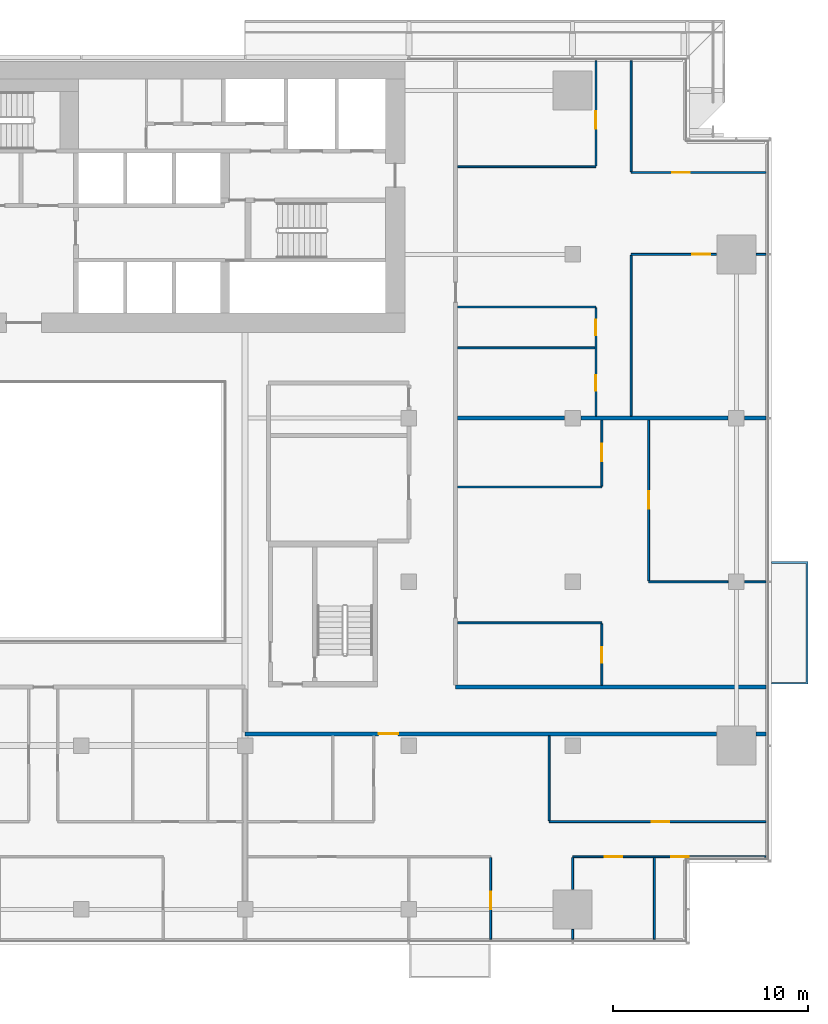
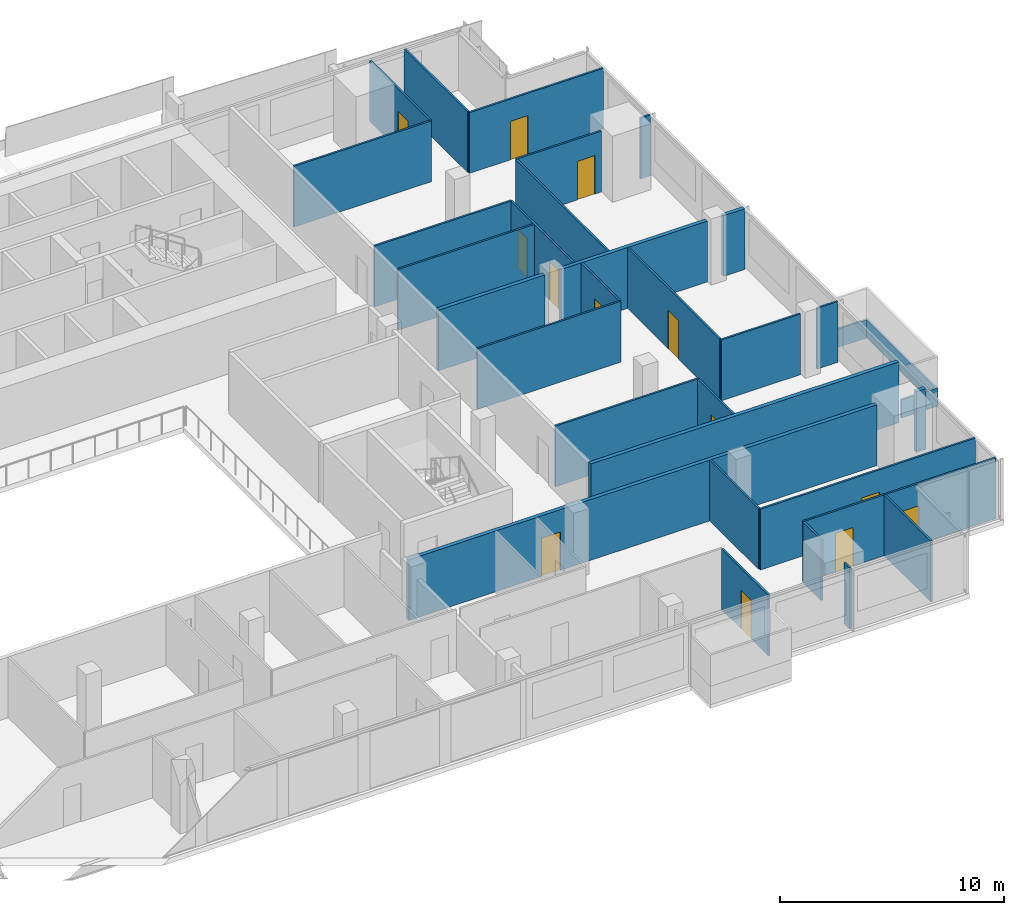
# One storey, part 23 of 29: 31 walls, 13 doors, 13 openings.
"""IFC4 building model written with IfcOpenShell, lengths in metres."""

import ifcopenshell
import ifcopenshell.guid

model = None  # the IFC model being written
_history = None  # IfcOwnerHistory: only IFC2X3 demands one
_inside = {}  # id of a spatial element -> (the spatial element, [elements in it])
_under = {}  # id of a project, library or spatial element -> (it, [spatial elements below it])
_declared = {}  # id of a project -> (the project, [libraries it declares])
_typed = {}  # id of a type object -> (the type object, [elements of that type])
_made_of = {}  # id of a material, layer set ... -> (it, [elements and type objects made of it])


def new_model(schema):
    """Start an empty IFC model of exactly this schema.

    Asked for "IFC4X3", IfcOpenShell would pick the latest addendum, in which some entities
    have other attributes; the version numbers below select the first issue.
    IFC2X3 requires an IfcOwnerHistory on every rooted entity: one is made here for all.
    """
    global model, _history
    if schema == "IFC4X3":
        model = ifcopenshell.file(schema_version=(4, 3, 0, 0))
    else:
        model = ifcopenshell.file(schema=schema)
    _inside.clear()
    _under.clear()
    _declared.clear()
    _typed.clear()
    _made_of.clear()
    _history = None
    if model.schema == "IFC2X3":
        org = make("IfcOrganization", Name="unknown")
        user = make(
            "IfcPersonAndOrganization",
            ThePerson=make("IfcPerson", FamilyName="unknown"),
            TheOrganization=org,
        )
        app = make(
            "IfcApplication",
            ApplicationDeveloper=org,
            Version="unknown",
            ApplicationFullName="unknown",
            ApplicationIdentifier="unknown",
        )
        _history = make(
            "IfcOwnerHistory",
            OwningUser=user,
            OwningApplication=app,
            ChangeAction="ADDED",
            CreationDate=0,
        )
    return model


def make(cls, **values):
    """One entity of the class cls with the attributes given. An attribute that is None is left unset."""
    return model.create_entity(
        cls, **{name: value for name, value in values.items() if value is not None}
    )


def rooted(cls, **values):
    """An entity with a GlobalId (a new one), such as an element, a storey or a relation."""
    return make(cls, GlobalId=ifcopenshell.guid.new(), OwnerHistory=_history, **values)


def si_unit(unit_type, name, prefix=None):
    """IfcSIUnit, for example si_unit("LENGTHUNIT", "METRE", prefix="MILLI")."""
    return make("IfcSIUnit", UnitType=unit_type, Prefix=prefix, Name=name)


def assignment(units):
    """IfcUnitAssignment: the units of a project."""
    return None if units is None else make("IfcUnitAssignment", Units=units)


def point(xyz):
    """IfcCartesianPoint."""
    return None if xyz is None else make("IfcCartesianPoint", Coordinates=xyz)


def direction(xyz):
    """IfcDirection."""
    return None if xyz is None else make("IfcDirection", DirectionRatios=xyz)


def frame(location, z_axis=None, x_axis=None):
    """IfcAxis2Placement3D, a coordinate frame: its origin and axes. An axis left out is left unset."""
    return make(
        "IfcAxis2Placement3D",
        Location=point(location),
        Axis=direction(z_axis),
        RefDirection=direction(x_axis),
    )


def frame_2d(location, x_axis=None):
    """IfcAxis2Placement2D, a coordinate frame in the plane: its origin and x axis."""
    return make(
        "IfcAxis2Placement2D", Location=point(location), RefDirection=direction(x_axis)
    )


def origin():
    """The frame at (0, 0, 0) with its axes left unset."""
    return frame((0.0, 0.0, 0.0))


def place(relative_to, where):
    """IfcLocalPlacement: puts the frame where relative to a parent placement (None: the world)."""
    return make(
        "IfcLocalPlacement", PlacementRelTo=relative_to, RelativePlacement=where
    )


def context(
    kind, dimensions, precision=None, world=None, true_north=None, identifier=None
):
    """IfcGeometricRepresentationContext, for example the 3D "Model" context."""
    return make(
        "IfcGeometricRepresentationContext",
        ContextIdentifier=identifier,
        ContextType=kind,
        CoordinateSpaceDimension=dimensions,
        Precision=precision,
        WorldCoordinateSystem=world,
        TrueNorth=true_north,
    )


def subcontext(parent, identifier, kind, view, scale=None):
    """IfcGeometricRepresentationSubContext, for example "Body" below "Model"."""
    return make(
        "IfcGeometricRepresentationSubContext",
        ContextIdentifier=identifier,
        ContextType=kind,
        ParentContext=parent,
        TargetScale=scale,
        TargetView=view,
    )


def project(units=None, contexts=None):
    """IfcProject with its units and contexts."""
    return rooted(
        "IfcProject",
        Name="project",
        RepresentationContexts=contexts,
        UnitsInContext=assignment(units),
    )


def spatial(cls, under=None, at=None, **own):
    """A site, building, storey or space (cls), placed at a placement, below another one or the project."""
    s = rooted(cls, ObjectPlacement=at, **own)
    if under is not None:
        _under.setdefault(under.id(), (under, []))[1].append(s)
    return s


def polyline(points):
    """IfcPolyline through the points."""
    return make("IfcPolyline", Points=[point(p) for p in points])


def profile(cls, at=None, kind="AREA", **sizes):
    """A parametric profile (cls). Its sizes go by their IFC names, for example OverallWidth=200.0."""
    return make(cls, ProfileType=kind, Position=at, **sizes)


def rectangle(**sizes):
    """IfcRectangleProfileDef."""
    return profile("IfcRectangleProfileDef", **sizes)


def outline(outer, holes=None, kind="AREA"):
    """IfcArbitraryClosedProfileDef: a profile drawn as a closed curve; with holes, ...WithVoids."""
    if holes is None:
        return make("IfcArbitraryClosedProfileDef", ProfileType=kind, OuterCurve=outer)
    return make(
        "IfcArbitraryProfileDefWithVoids",
        ProfileType=kind,
        OuterCurve=outer,
        InnerCurves=holes,
    )


def extrude(swept, where, along, depth):
    """IfcExtrudedAreaSolid: the profile swept, set in the frame where, extruded along a direction by depth."""
    return make(
        "IfcExtrudedAreaSolid",
        SweptArea=swept,
        Position=where,
        ExtrudedDirection=direction(along),
        Depth=depth,
    )


def shape(context_of_items, identifier, shape_type, items):
    """IfcShapeRepresentation: the items that make up one representation, for example the "Body"."""
    return make(
        "IfcShapeRepresentation",
        ContextOfItems=context_of_items,
        RepresentationIdentifier=identifier,
        RepresentationType=shape_type,
        Items=items,
    )


def material(Name=None, Category=None):
    """IfcMaterial."""
    return make("IfcMaterial", Name=Name, Category=Category)


def layer(
    of_material, thickness, ventilated=None, Name=None, Category=None, Priority=None
):
    """IfcMaterialLayer: one layer of a wall or slab, of a material (None: an air gap)."""
    return make(
        "IfcMaterialLayer",
        Material=of_material,
        LayerThickness=thickness,
        IsVentilated=ventilated,
        Name=Name,
        Category=Category,
        Priority=Priority,
    )


def layer_set(layers, Name=None):
    """IfcMaterialLayerSet."""
    return make("IfcMaterialLayerSet", MaterialLayers=layers, LayerSetName=Name)


def made_of(thing, what):
    """Note that an element or type object is made of a material, layer set ...; save() writes the relation."""
    if what is not None:
        _made_of.setdefault(what.id(), (what, []))[1].append(thing)
    return thing


def type_object(cls, material=None, **own):
    """A type object (cls), such as IfcWallType, which elements share."""
    return made_of(rooted(cls, **own), material)


def element(
    cls,
    number,
    at=None,
    inside=None,
    cuts=None,
    type_object=None,
    material=None,
    context=None,
    identifier="Body",
    shape_type=None,
    held_by="IfcProductDefinitionShape",
    body=None,
    shapes=None,
    **own,
):
    """One element of the class cls, such as IfcWall. Its Tag is "e" and its number.

    at: its placement. inside: the storey or other place that contains it. cuts: it is an
    opening in that element (IfcRelVoidsElement). A single representation is given by context,
    identifier, shape_type and body (its items); several are given by shapes. held_by: the class
    of the entity that holds the representations. save() writes the other relations.
    """
    e = rooted(cls, Tag="e%d" % number, ObjectPlacement=at, **own)
    if body is not None:
        shapes = [shape(context, identifier, shape_type, body)]
    if shapes is not None:
        e.Representation = make(held_by, Representations=shapes)
    if inside is not None:
        _inside.setdefault(inside.id(), (inside, []))[1].append(e)
    if cuts is not None:
        rooted(
            "IfcRelVoidsElement", RelatingBuildingElement=cuts, RelatedOpeningElement=e
        )
    if type_object is not None:
        _typed.setdefault(type_object.id(), (type_object, []))[1].append(e)
    return made_of(e, material)


def fill(opening, filler):
    """IfcRelFillsElement: the door or window that sits in an opening."""
    return rooted(
        "IfcRelFillsElement",
        RelatingOpeningElement=opening,
        RelatedBuildingElement=filler,
    )


def aggregate(whole, parts):
    """IfcRelAggregates: a whole, such as a stair, and the parts it consists of."""
    return rooted("IfcRelAggregates", RelatingObject=whole, RelatedObjects=parts)


def save(model, path):
    """Write the relations noted so far, then the file.

    IfcRelAggregates (storeys below a building ...), IfcRelContainedInSpatialStructure (elements
    in a storey), IfcRelDefinesByType, IfcRelAssociatesMaterial and IfcRelDeclares: one each for
    every whole, place, type object, material and project.
    """
    for whole, parts in _under.values():
        aggregate(whole, parts)
    for where, things in _inside.values():
        rooted(
            "IfcRelContainedInSpatialStructure",
            RelatedElements=things,
            RelatingStructure=where,
        )
    for kind, things in _typed.values():
        rooted("IfcRelDefinesByType", RelatedObjects=things, RelatingType=kind)
    for what, things in _made_of.values():
        rooted("IfcRelAssociatesMaterial", RelatedObjects=things, RelatingMaterial=what)
    for by, libraries in _declared.values():
        rooted("IfcRelDeclares", RelatingContext=by, RelatedDefinitions=libraries)
    model.write(path)


model = new_model("IFC4")

# Units and contexts
model_context = context("Model", 3, precision=1e-05, world=origin(), true_north=direction((0.0, 1.0)))
body_context = subcontext(model_context, "Body", "Model", "MODEL_VIEW")
ifc_project = project(units=[si_unit("LENGTHUNIT", "METRE"), si_unit("AREAUNIT", "SQUARE_METRE"), si_unit("VOLUMEUNIT", "CUBIC_METRE"), si_unit("PLANEANGLEUNIT", "RADIAN"), si_unit("MASSUNIT", "GRAM", prefix="KILO")], contexts=[model_context])

# Site, building, storey
site_placement = place(None, origin())
site = spatial("IfcSite", under=ifc_project, at=site_placement, CompositionType="ELEMENT")
building_placement = place(site_placement, origin())
building = spatial("IfcBuilding", under=site, at=building_placement, Name="Saffron Gate Tower", CompositionType="ELEMENT")
storey_placement = place(building_placement, frame((0.0, 0.0, 116.85009765625)))
storey = spatial("IfcBuildingStorey", under=building, at=storey_placement, Name="L27", CompositionType="ELEMENT", Elevation=116.85009765625)

# Wall, openings, doors
ifc_material_1 = material(Name="Plasterboard on steel studs", Category="steel")
ifc_layer_1 = layer(ifc_material_1, 0.10009765625)
ifc_layer_set_1 = layer_set([ifc_layer_1], Name="PW1 Partition 100")
wall_type_1 = type_object("IfcWallType", Name="PW1 Partition 100", PredefinedType="PARTITIONING", material=ifc_layer_set_1)
wall_1_placement = place(storey_placement, frame((126.919921875, 34.5, 0.0), z_axis=(0.0, 0.0, 1.0), x_axis=(-1.0, 0.0, 0.0)))
wall_1 = element("IfcWall", 1, at=wall_1_placement, inside=storey, type_object=wall_type_1, Name="Partition B3-4", PredefinedType="PARTITIONING", context=body_context, shape_type="SweptSolid", body=[
    extrude(rectangle(XDim=9.919921875, YDim=0.10009765625, at=frame_2d((4.9599609375, 0.0))), origin(), (0.0, 0.0, 1.0), 3.31982421875),
])
opening_1_placement = place(wall_1_placement, frame((3.96630859375, 0.0, 0.0)))
opening_1 = element("IfcOpeningElement", 2, at=opening_1_placement, cuts=wall_1, Name="Opening B3-20", PredefinedType="OPENING", context=body_context, shape_type="SweptSolid", body=[
    extrude(rectangle(XDim=0.89990234375, YDim=2.10009765625, at=frame_2d((0.449951171875, 1.050048828125))), frame((0.0, 0.06005859375, 0.0), z_axis=(0.0, -1.0, 0.0), x_axis=(1.0, 0.0, 0.0)), (0.0, 0.0, 1.0), 0.1201171875),
])
opening_2_placement = place(wall_1_placement, frame((7.3701171875, 0.0, 0.0)))
opening_2 = element("IfcOpeningElement", 3, at=opening_2_placement, cuts=wall_1, Name="Opening B3-19", PredefinedType="OPENING", context=body_context, shape_type="SweptSolid", body=[
    extrude(rectangle(XDim=0.89990234375, YDim=2.10009765625, at=frame_2d((0.449951171875, 1.050048828125))), frame((0.0, 0.06005859375, 0.0), z_axis=(0.0, -1.0, 0.0), x_axis=(1.0, 0.0, 0.0)), (0.0, 0.0, 1.0), 0.1201171875),
])
ifc_material_2 = material(Name="Timber door set", Category="wood")
door_type_1 = type_object("IfcDoorType", Name="RD1 Room door 900x2100", OperationType="NOTDEFINED", PredefinedType="DOOR", material=ifc_material_2)
door_1_placement = place(opening_1_placement, origin())
door_1 = element("IfcDoor", 4, at=door_1_placement, inside=storey, type_object=door_type_1, Name="Door B3-20", OperationType="SINGLE_SWING_RIGHT", OverallHeight=2.10009765625, OverallWidth=0.89990234375, PredefinedType="DOOR", context=body_context, shape_type="SweptSolid", body=[
    extrude(rectangle(XDim=0.89990234375, YDim=2.10009765625, at=frame_2d((0.449951171875, 1.050048828125))), frame((0.0, 0.02490234375, 0.0), z_axis=(0.0, -1.0, 0.0), x_axis=(1.0, 0.0, 0.0)), (0.0, 0.0, 1.0), 0.050048828125),
])
fill(opening_1, door_1)
door_2_placement = place(opening_2_placement, origin())
door_2 = element("IfcDoor", 5, at=door_2_placement, inside=storey, type_object=door_type_1, Name="Door B3-19", OperationType="SINGLE_SWING_RIGHT", OverallHeight=2.10009765625, OverallWidth=0.89990234375, PredefinedType="DOOR", context=body_context, shape_type="SweptSolid", body=[
    extrude(rectangle(XDim=0.89990234375, YDim=2.10009765625, at=frame_2d((0.449951171875, 1.050048828125))), frame((0.0, 0.02490234375, 0.0), z_axis=(0.0, -1.0, 0.0), x_axis=(1.0, 0.0, 0.0)), (0.0, 0.0, 1.0), 0.050048828125),
])
fill(opening_2, door_2)

# Wall, opening, door
wall_2_placement = place(storey_placement, frame((115.800048828125, 36.300048828125, 0.0), z_axis=(0.0, 0.0, 1.0), x_axis=(1.0, 0.0, 0.0)))
wall_2 = element("IfcWall", 6, at=wall_2_placement, inside=storey, type_object=wall_type_1, Name="Partition B3-8", PredefinedType="PARTITIONING", context=body_context, shape_type="SweptSolid", body=[
    extrude(rectangle(XDim=11.119873046875, YDim=0.10009765625, at=frame_2d((5.56005859375, 0.0))), origin(), (0.0, 0.0, 1.0), 3.31982421875),
])
opening_3_placement = place(wall_2_placement, frame((5.25, 0.0, 0.0)))
opening_3 = element("IfcOpeningElement", 7, at=opening_3_placement, cuts=wall_2, Name="Opening B3-21", PredefinedType="OPENING", context=body_context, shape_type="SweptSolid", body=[
    extrude(rectangle(XDim=0.89990234375, YDim=2.10009765625, at=frame_2d((0.449951171875, 1.050048828125))), frame((0.0, 0.06005859375, 0.0), z_axis=(0.0, -1.0, 0.0), x_axis=(1.0, 0.0, 0.0)), (0.0, 0.0, 1.0), 0.1201171875),
])
door_3_placement = place(opening_3_placement, origin())
door_3 = element("IfcDoor", 8, at=door_3_placement, inside=storey, type_object=door_type_1, Name="Door B3-21", OperationType="SINGLE_SWING_RIGHT", OverallHeight=2.10009765625, OverallWidth=0.89990234375, PredefinedType="DOOR", context=body_context, shape_type="SweptSolid", body=[
    extrude(rectangle(XDim=0.89990234375, YDim=2.10009765625, at=frame_2d((0.449951171875, 1.050048828125))), frame((0.0, 0.02490234375, 0.0), z_axis=(0.0, -1.0, 0.0), x_axis=(1.0, 0.0, 0.0)), (0.0, 0.0, 1.0), 0.050048828125),
])
fill(opening_3, door_3)

# Walls
wall_3_placement = place(storey_placement, frame((111.10009765625, 46.5, 0.0), z_axis=(0.0, 0.0, 1.0), x_axis=(1.0, 0.0, 0.0)))
element("IfcWall", 9, at=wall_3_placement, inside=storey, type_object=wall_type_1, Name="Partition B3-17", PredefinedType="PARTITIONING", context=body_context, shape_type="SweptSolid", body=[
    extrude(rectangle(XDim=7.39990234375, YDim=0.10009765625, at=frame_2d((3.699951171875, 0.0))), origin(), (0.0, 0.0, 1.0), 3.31982421875),
])
wall_4_placement = place(storey_placement, frame((120.89990234375, 48.60009765625, 0.0), z_axis=(0.0, 0.0, 1.0), x_axis=(1.0, 0.0, 0.0)))
element("IfcWall", 10, at=wall_4_placement, inside=storey, type_object=wall_type_1, Name="Partition B3-20", PredefinedType="PARTITIONING", context=body_context, shape_type="SweptSolid", body=[
    extrude(rectangle(XDim=4.080078125, YDim=0.10009765625, at=frame_2d((2.0400390625, 0.0))), origin(), (0.0, 0.0, 1.0), 3.31982421875),
])
wall_5_placement = place(storey_placement, frame((125.820068359375, 48.60009765625, 0.0), z_axis=(0.0, 0.0, 1.0), x_axis=(1.0, 0.0, 0.0)))
element("IfcWall", 11, at=wall_5_placement, inside=storey, type_object=wall_type_1, Name="Partition B3-21", PredefinedType="PARTITIONING", context=body_context, shape_type="SweptSolid", body=[
    extrude(rectangle(XDim=1.099853515625, YDim=0.10009765625, at=frame_2d((0.5498046875, 0.0))), origin(), (0.0, 0.0, 1.0), 3.31982421875),
])
wall_6_placement = place(storey_placement, frame((111.10009765625, 53.466796875, 0.0), z_axis=(0.0, 0.0, 1.0), x_axis=(1.0, 0.0, 0.0)))
element("IfcWall", 12, at=wall_6_placement, inside=storey, type_object=wall_type_1, Name="Partition B3-26", PredefinedType="PARTITIONING", context=body_context, shape_type="SweptSolid", body=[
    extrude(rectangle(XDim=7.39990234375, YDim=0.10009765625, at=frame_2d((3.699951171875, 0.0))), origin(), (0.0, 0.0, 1.0), 3.31982421875),
])
wall_7_placement = place(storey_placement, frame((111.10009765625, 60.60009765625, 0.0), z_axis=(0.0, 0.0, 1.0), x_axis=(1.0, 0.0, 0.0)))
element("IfcWall", 13, at=wall_7_placement, inside=storey, type_object=wall_type_1, Name="Partition B3-36", PredefinedType="PARTITIONING", context=body_context, shape_type="SweptSolid", body=[
    extrude(rectangle(XDim=7.0498046875, YDim=0.10009765625, at=frame_2d((3.52490234375, 0.0))), origin(), (0.0, 0.0, 1.0), 3.31982421875),
])
wall_8_placement = place(storey_placement, frame((111.10009765625, 62.699951171875, 0.0), z_axis=(0.0, 0.0, 1.0), x_axis=(1.0, 0.0, 0.0)))
element("IfcWall", 14, at=wall_8_placement, inside=storey, type_object=wall_type_1, Name="Partition B3-37", PredefinedType="PARTITIONING", context=body_context, shape_type="SweptSolid", body=[
    extrude(rectangle(XDim=7.099853515625, YDim=0.10009765625, at=frame_2d((3.5498046875, 0.0))), origin(), (0.0, 0.0, 1.0), 3.31982421875),
])

# Wall, opening, door
wall_9_placement = place(storey_placement, frame((124.3798828125, 65.39990234375, 0.0), z_axis=(0.0, 0.0, 1.0), x_axis=(-1.0, 0.0, 0.0)))
wall_9 = element("IfcWall", 15, at=wall_9_placement, inside=storey, type_object=wall_type_1, Name="Partition B3-41", PredefinedType="PARTITIONING", context=body_context, shape_type="SweptSolid", body=[
    extrude(rectangle(XDim=4.3798828125, YDim=0.10009765625, at=frame_2d((2.18994140625, 0.0))), origin(), (0.0, 0.0, 1.0), 3.31982421875),
])
opening_4_placement = place(wall_9_placement, frame((0.330078125, 0.0, 0.0)))
opening_4 = element("IfcOpeningElement", 16, at=opening_4_placement, cuts=wall_9, Name="Opening B3-28", PredefinedType="OPENING", context=body_context, shape_type="SweptSolid", body=[
    extrude(rectangle(XDim=0.89990234375, YDim=2.10009765625, at=frame_2d((0.449951171875, 1.050048828125))), frame((0.0, 0.06005859375, 0.0), z_axis=(0.0, -1.0, 0.0), x_axis=(1.0, 0.0, 0.0)), (0.0, 0.0, 1.0), 0.1201171875),
])
door_4_placement = place(opening_4_placement, origin())
door_4 = element("IfcDoor", 17, at=door_4_placement, inside=storey, type_object=door_type_1, Name="Door B3-28", OperationType="SINGLE_SWING_LEFT", OverallHeight=2.10009765625, OverallWidth=0.89990234375, PredefinedType="DOOR", context=body_context, shape_type="SweptSolid", body=[
    extrude(rectangle(XDim=0.89990234375, YDim=2.10009765625, at=frame_2d((0.449951171875, 1.050048828125))), frame((0.0, 0.02490234375, 0.0), z_axis=(0.0, -1.0, 0.0), x_axis=(1.0, 0.0, 0.0)), (0.0, 0.0, 1.0), 0.050048828125),
])
fill(opening_4, door_4)

# Wall
wall_10_placement = place(storey_placement, frame((126.419921875, 65.39990234375, 0.0), z_axis=(0.0, 0.0, 1.0), x_axis=(1.0, 0.0, 0.0)))
element("IfcWall", 18, at=wall_10_placement, inside=storey, type_object=wall_type_1, Name="Partition B3-42", PredefinedType="PARTITIONING", context=body_context, shape_type="SweptSolid", body=[
    extrude(rectangle(XDim=0.5, YDim=0.10009765625, at=frame_2d((0.25, 0.0))), origin(), (0.0, 0.0, 1.0), 3.31982421875),
])

# Wall, opening, door
wall_11_placement = place(storey_placement, frame((120.0, 69.60009765625, 0.0), z_axis=(0.0, 0.0, 1.0), x_axis=(1.0, 0.0, 0.0)))
wall_11 = element("IfcWall", 19, at=wall_11_placement, inside=storey, type_object=wall_type_1, Name="Partition B3-45", PredefinedType="PARTITIONING", context=body_context, shape_type="SweptSolid", body=[
    extrude(rectangle(XDim=6.919921875, YDim=0.10009765625, at=frame_2d((3.4599609375, 0.0))), origin(), (0.0, 0.0, 1.0), 3.31982421875),
])
opening_5_placement = place(wall_11_placement, frame((2.11474609375, 0.0, 0.0)))
opening_5 = element("IfcOpeningElement", 20, at=opening_5_placement, cuts=wall_11, Name="Opening B3-29", PredefinedType="OPENING", context=body_context, shape_type="SweptSolid", body=[
    extrude(rectangle(XDim=0.89990234375, YDim=2.10009765625, at=frame_2d((0.449951171875, 1.050048828125))), frame((0.0, 0.06005859375, 0.0), z_axis=(0.0, -1.0, 0.0), x_axis=(1.0, 0.0, 0.0)), (0.0, 0.0, 1.0), 0.1201171875),
])
door_5_placement = place(opening_5_placement, origin())
door_5 = element("IfcDoor", 21, at=door_5_placement, inside=storey, type_object=door_type_1, Name="Door B3-29", OperationType="SINGLE_SWING_LEFT", OverallHeight=2.10009765625, OverallWidth=0.89990234375, PredefinedType="DOOR", context=body_context, shape_type="SweptSolid", body=[
    extrude(rectangle(XDim=0.89990234375, YDim=2.10009765625, at=frame_2d((0.449951171875, 1.050048828125))), frame((0.0, 0.02490234375, 0.0), z_axis=(0.0, -1.0, 0.0), x_axis=(1.0, 0.0, 0.0)), (0.0, 0.0, 1.0), 0.050048828125),
])
fill(opening_5, door_5)

# Wall
wall_12_placement = place(storey_placement, frame((111.10009765625, 69.894287109375, 0.0), z_axis=(0.0, 0.0, 1.0), x_axis=(1.0, 0.0, 0.0)))
element("IfcWall", 22, at=wall_12_placement, inside=storey, type_object=wall_type_1, Name="Partition B3-46", PredefinedType="PARTITIONING", context=body_context, shape_type="SweptSolid", body=[
    extrude(rectangle(XDim=7.099853515625, YDim=0.10009765625, at=frame_2d((3.5498046875, 0.0))), origin(), (0.0, 0.0, 1.0), 3.31982421875),
])

# Wall, opening, door
wall_13_placement = place(storey_placement, frame((112.800048828125, 30.280029296875, 0.0), z_axis=(0.0, 0.0, 1.0), x_axis=(0.0, 1.0, 0.0)))
wall_13 = element("IfcWall", 23, at=wall_13_placement, inside=storey, type_object=wall_type_1, Name="Partition B3-86", PredefinedType="PARTITIONING", context=body_context, shape_type="SweptSolid", body=[
    extrude(rectangle(XDim=4.169921875, YDim=0.10009765625, at=frame_2d((2.0849609375, 0.0))), origin(), (0.0, 0.0, 1.0), 3.31982421875),
])
opening_6_placement = place(wall_13_placement, frame((1.52001953125, 0.0, 0.0)))
opening_6 = element("IfcOpeningElement", 24, at=opening_6_placement, cuts=wall_13, Name="Opening B3-18", PredefinedType="OPENING", context=body_context, shape_type="SweptSolid", body=[
    extrude(rectangle(XDim=0.89990234375, YDim=2.10009765625, at=frame_2d((0.449951171875, 1.050048828125))), frame((0.0, 0.06005859375, 0.0), z_axis=(0.0, -1.0, 0.0), x_axis=(1.0, 0.0, 0.0)), (0.0, 0.0, 1.0), 0.1201171875),
])
door_6_placement = place(opening_6_placement, origin())
door_6 = element("IfcDoor", 25, at=door_6_placement, inside=storey, type_object=door_type_1, Name="Door B3-18", OperationType="SINGLE_SWING_LEFT", OverallHeight=2.10009765625, OverallWidth=0.89990234375, PredefinedType="DOOR", context=body_context, shape_type="SweptSolid", body=[
    extrude(rectangle(XDim=0.89990234375, YDim=2.10009765625, at=frame_2d((0.449951171875, 1.050048828125))), frame((0.0, 0.02490234375, 0.0), z_axis=(0.0, -1.0, 0.0), x_axis=(1.0, 0.0, 0.0)), (0.0, 0.0, 1.0), 0.050048828125),
])
fill(opening_6, door_6)

# Walls
wall_14_placement = place(storey_placement, frame((115.800048828125, 40.699951171875, 0.0), z_axis=(0.0, 0.0, 1.0), x_axis=(0.0, -1.0, 0.0)))
element("IfcWall", 26, at=wall_14_placement, inside=storey, type_object=wall_type_1, Name="Partition B3-87", PredefinedType="PARTITIONING", context=body_context, shape_type="SweptSolid", body=[
    extrude(rectangle(XDim=4.349853515625, YDim=0.10009765625, at=frame_2d((2.1748046875, 0.0))), origin(), (0.0, 0.0, 1.0), 3.31982421875),
])
wall_15_placement = place(storey_placement, frame((117.0, 30.780029296875, 0.0), z_axis=(0.0, 0.0, 1.0), x_axis=(0.0, -1.0, 0.0)))
element("IfcWall", 27, at=wall_15_placement, inside=storey, type_object=wall_type_1, Name="Partition B3-88", PredefinedType="PARTITIONING", context=body_context, shape_type="SweptSolid", body=[
    extrude(rectangle(XDim=0.5, YDim=0.10009765625, at=frame_2d((0.25, 0.0))), origin(), (0.0, 0.0, 1.0), 3.31982421875),
])
wall_16_placement = place(storey_placement, frame((117.0, 34.449951171875, 0.0), z_axis=(0.0, 0.0, 1.0), x_axis=(0.0, -1.0, 0.0)))
element("IfcWall", 28, at=wall_16_placement, inside=storey, type_object=wall_type_1, Name="Partition B3-89", PredefinedType="PARTITIONING", context=body_context, shape_type="SweptSolid", body=[
    extrude(rectangle(XDim=1.6298828125, YDim=0.10009765625, at=frame_2d((0.81494140625, 0.0))), origin(), (0.0, 0.0, 1.0), 3.31982421875),
])

# Wall, openings, doors
wall_17_placement = place(storey_placement, frame((118.199951171875, 57.10009765625, 0.0), z_axis=(0.0, 0.0, 1.0), x_axis=(0.0, 1.0, 0.0)))
wall_17 = element("IfcWall", 29, at=wall_17_placement, inside=storey, type_object=wall_type_1, Name="Partition B3-90", PredefinedType="PARTITIONING", context=body_context, shape_type="SweptSolid", body=[
    extrude(rectangle(XDim=5.5498046875, YDim=0.10009765625, at=frame_2d((2.77490234375, 0.0))), origin(), (0.0, 0.0, 1.0), 3.31982421875),
])
opening_7_placement = place(wall_17_placement, frame((1.300048828125, 0.0, 0.0)))
opening_7 = element("IfcOpeningElement", 30, at=opening_7_placement, cuts=wall_17, Name="Opening B3-42", PredefinedType="OPENING", context=body_context, shape_type="SweptSolid", body=[
    extrude(rectangle(XDim=0.800048828125, YDim=2.10009765625, at=frame_2d((0.39990234375, 1.050048828125))), frame((0.0, 0.06005859375, 0.0), z_axis=(0.0, -1.0, 0.0), x_axis=(1.0, 0.0, 0.0)), (0.0, 0.0, 1.0), 0.1201171875),
])
opening_8_placement = place(wall_17_placement, frame((4.14990234375, 0.0, 0.0)))
opening_8 = element("IfcOpeningElement", 31, at=opening_8_placement, cuts=wall_17, Name="Opening B3-43", PredefinedType="OPENING", context=body_context, shape_type="SweptSolid", body=[
    extrude(rectangle(XDim=0.800048828125, YDim=2.10009765625, at=frame_2d((0.39990234375, 1.050048828125))), frame((0.0, 0.06005859375, 0.0), z_axis=(0.0, -1.0, 0.0), x_axis=(1.0, 0.0, 0.0)), (0.0, 0.0, 1.0), 0.1201171875),
])
door_type_2 = type_object("IfcDoorType", Name="RD2 Bathroom door 800x2100", OperationType="NOTDEFINED", PredefinedType="DOOR", material=ifc_material_2)
door_7_placement = place(opening_7_placement, origin())
door_7 = element("IfcDoor", 32, at=door_7_placement, inside=storey, type_object=door_type_2, Name="Door B3-42", OperationType="SINGLE_SWING_LEFT", OverallHeight=2.10009765625, OverallWidth=0.800048828125, PredefinedType="DOOR", context=body_context, shape_type="SweptSolid", body=[
    extrude(rectangle(XDim=0.800048828125, YDim=2.10009765625, at=frame_2d((0.39990234375, 1.050048828125))), frame((0.0, 0.02490234375, 0.0), z_axis=(0.0, -1.0, 0.0), x_axis=(1.0, 0.0, 0.0)), (0.0, 0.0, 1.0), 0.050048828125),
])
fill(opening_7, door_7)
door_8_placement = place(opening_8_placement, origin())
door_8 = element("IfcDoor", 33, at=door_8_placement, inside=storey, type_object=door_type_2, Name="Door B3-43", OperationType="SINGLE_SWING_RIGHT", OverallHeight=2.10009765625, OverallWidth=0.800048828125, PredefinedType="DOOR", context=body_context, shape_type="SweptSolid", body=[
    extrude(rectangle(XDim=0.800048828125, YDim=2.10009765625, at=frame_2d((0.39990234375, 1.050048828125))), frame((0.0, 0.02490234375, 0.0), z_axis=(0.0, -1.0, 0.0), x_axis=(1.0, 0.0, 0.0)), (0.0, 0.0, 1.0), 0.050048828125),
])
fill(opening_8, door_8)

# Wall, opening, door
wall_18_placement = place(storey_placement, frame((118.199951171875, 69.9443359375, 0.0), z_axis=(0.0, 0.0, 1.0), x_axis=(0.0, 1.0, 0.0)))
wall_18 = element("IfcWall", 34, at=wall_18_placement, inside=storey, type_object=wall_type_1, Name="Partition B3-91", PredefinedType="PARTITIONING", context=body_context, shape_type="SweptSolid", body=[
    extrude(rectangle(XDim=5.375732421875, YDim=0.10009765625, at=frame_2d((2.68798828125, 0.0))), origin(), (0.0, 0.0, 1.0), 3.31982421875),
])
opening_9_placement = place(wall_18_placement, frame((1.90283203125, 0.0, 0.0)))
opening_9 = element("IfcOpeningElement", 35, at=opening_9_placement, cuts=wall_18, Name="Opening B3-30", PredefinedType="OPENING", context=body_context, shape_type="SweptSolid", body=[
    extrude(rectangle(XDim=0.89990234375, YDim=2.10009765625, at=frame_2d((0.449951171875, 1.050048828125))), frame((0.0, 0.06005859375, 0.0), z_axis=(0.0, -1.0, 0.0), x_axis=(1.0, 0.0, 0.0)), (0.0, 0.0, 1.0), 0.1201171875),
])
door_9_placement = place(opening_9_placement, origin())
door_9 = element("IfcDoor", 36, at=door_9_placement, inside=storey, type_object=door_type_1, Name="Door B3-30", OperationType="SINGLE_SWING_LEFT", OverallHeight=2.10009765625, OverallWidth=0.89990234375, PredefinedType="DOOR", context=body_context, shape_type="SweptSolid", body=[
    extrude(rectangle(XDim=0.89990234375, YDim=2.10009765625, at=frame_2d((0.449951171875, 1.050048828125))), frame((0.0, 0.02490234375, 0.0), z_axis=(0.0, -1.0, 0.0), x_axis=(1.0, 0.0, 0.0)), (0.0, 0.0, 1.0), 0.050048828125),
])
fill(opening_9, door_9)

wall_19_placement = place(storey_placement, frame((118.5, 43.300048828125, 0.0), z_axis=(0.0, 0.0, 1.0), x_axis=(0.0, 1.0, 0.0)))
wall_19 = element("IfcWall", 37, at=wall_19_placement, inside=storey, type_object=wall_type_1, Name="Partition B3-92", PredefinedType="PARTITIONING", context=body_context, shape_type="SweptSolid", body=[
    extrude(rectangle(XDim=3.14990234375, YDim=0.10009765625, at=frame_2d((1.574951171875, 0.0))), origin(), (0.0, 0.0, 1.0), 3.31982421875),
])
opening_10_placement = place(wall_19_placement, frame((1.14990234375, 0.0, 0.0)))
opening_10 = element("IfcOpeningElement", 38, at=opening_10_placement, cuts=wall_19, Name="Opening B3-41", PredefinedType="OPENING", context=body_context, shape_type="SweptSolid", body=[
    extrude(rectangle(XDim=0.800048828125, YDim=2.10009765625, at=frame_2d((0.39990234375, 1.050048828125))), frame((0.0, 0.06005859375, 0.0), z_axis=(0.0, -1.0, 0.0), x_axis=(1.0, 0.0, 0.0)), (0.0, 0.0, 1.0), 0.1201171875),
])
door_10_placement = place(opening_10_placement, origin())
door_10 = element("IfcDoor", 39, at=door_10_placement, inside=storey, type_object=door_type_2, Name="Door B3-41", OperationType="SINGLE_SWING_LEFT", OverallHeight=2.10009765625, OverallWidth=0.800048828125, PredefinedType="DOOR", context=body_context, shape_type="SweptSolid", body=[
    extrude(rectangle(XDim=0.800048828125, YDim=2.10009765625, at=frame_2d((0.39990234375, 1.050048828125))), frame((0.0, 0.02490234375, 0.0), z_axis=(0.0, -1.0, 0.0), x_axis=(1.0, 0.0, 0.0)), (0.0, 0.0, 1.0), 0.050048828125),
])
fill(opening_10, door_10)

wall_20_placement = place(storey_placement, frame((118.5, 53.5166015625, 0.0), z_axis=(0.0, 0.0, 1.0), x_axis=(0.0, 1.0, 0.0)))
wall_20 = element("IfcWall", 40, at=wall_20_placement, inside=storey, type_object=wall_type_1, Name="Partition B3-93", PredefinedType="PARTITIONING", context=body_context, shape_type="SweptSolid", body=[
    extrude(rectangle(XDim=3.38330078125, YDim=0.10009765625, at=frame_2d((1.691650390625, 0.0))), origin(), (0.0, 0.0, 1.0), 3.31982421875),
])
opening_11_placement = place(wall_20_placement, frame((1.2666015625, 0.0, 0.0)))
opening_11 = element("IfcOpeningElement", 41, at=opening_11_placement, cuts=wall_20, Name="Opening B3-27", PredefinedType="OPENING", context=body_context, shape_type="SweptSolid", body=[
    extrude(rectangle(XDim=0.89990234375, YDim=2.10009765625, at=frame_2d((0.449951171875, 1.050048828125))), frame((0.0, 0.06005859375, 0.0), z_axis=(0.0, -1.0, 0.0), x_axis=(1.0, 0.0, 0.0)), (0.0, 0.0, 1.0), 0.1201171875),
])
door_11_placement = place(opening_11_placement, origin())
door_11 = element("IfcDoor", 42, at=door_11_placement, inside=storey, type_object=door_type_1, Name="Door B3-27", OperationType="SINGLE_SWING_RIGHT", OverallHeight=2.10009765625, OverallWidth=0.89990234375, PredefinedType="DOOR", context=body_context, shape_type="SweptSolid", body=[
    extrude(rectangle(XDim=0.89990234375, YDim=2.10009765625, at=frame_2d((0.449951171875, 1.050048828125))), frame((0.0, 0.02490234375, 0.0), z_axis=(0.0, -1.0, 0.0), x_axis=(1.0, 0.0, 0.0)), (0.0, 0.0, 1.0), 0.050048828125),
])
fill(opening_11, door_11)

# Walls
wall_21_placement = place(storey_placement, frame((120.0, 65.35009765625, 0.0), z_axis=(0.0, 0.0, 1.0), x_axis=(0.0, -1.0, 0.0)))
element("IfcWall", 43, at=wall_21_placement, inside=storey, type_object=wall_type_1, Name="Partition B3-94", PredefinedType="PARTITIONING", context=body_context, shape_type="SweptSolid", body=[
    extrude(rectangle(XDim=8.25, YDim=0.10009765625, at=frame_2d((4.125, 0.0))), origin(), (0.0, 0.0, 1.0), 3.31982421875),
])
wall_22_placement = place(storey_placement, frame((120.0, 75.320068359375, 0.0), z_axis=(0.0, 0.0, 1.0), x_axis=(0.0, -1.0, 0.0)))
element("IfcWall", 44, at=wall_22_placement, inside=storey, type_object=wall_type_1, Name="Partition B3-95", PredefinedType="PARTITIONING", context=body_context, shape_type="SweptSolid", body=[
    extrude(rectangle(XDim=5.670166015625, YDim=0.10009765625, at=frame_2d((2.8349609375, 0.0))), origin(), (0.0, 0.0, 1.0), 3.31982421875),
])

# Wall, opening, door
wall_23_placement = place(storey_placement, frame((120.89990234375, 56.89990234375, 0.0), z_axis=(0.0, 0.0, 1.0), x_axis=(0.0, -1.0, 0.0)))
wall_23 = element("IfcWall", 45, at=wall_23_placement, inside=storey, type_object=wall_type_1, Name="Partition B3-96", PredefinedType="PARTITIONING", context=body_context, shape_type="SweptSolid", body=[
    extrude(rectangle(XDim=8.25, YDim=0.10009765625, at=frame_2d((4.125, 0.0))), origin(), (0.0, 0.0, 1.0), 3.31982421875),
])
opening_12_placement = place(wall_23_placement, frame((3.64990234375, 0.0, 0.0)))
opening_12 = element("IfcOpeningElement", 46, at=opening_12_placement, cuts=wall_23, Name="Opening B3-26", PredefinedType="OPENING", context=body_context, shape_type="SweptSolid", body=[
    extrude(rectangle(XDim=0.89990234375, YDim=2.10009765625, at=frame_2d((0.449951171875, 1.050048828125))), frame((0.0, 0.06005859375, 0.0), z_axis=(0.0, -1.0, 0.0), x_axis=(1.0, 0.0, 0.0)), (0.0, 0.0, 1.0), 0.1201171875),
])
door_12_placement = place(opening_12_placement, origin())
door_12 = element("IfcDoor", 47, at=door_12_placement, inside=storey, type_object=door_type_1, Name="Door B3-26", OperationType="SINGLE_SWING_LEFT", OverallHeight=2.10009765625, OverallWidth=0.89990234375, PredefinedType="DOOR", context=body_context, shape_type="SweptSolid", body=[
    extrude(rectangle(XDim=0.89990234375, YDim=2.10009765625, at=frame_2d((0.449951171875, 1.050048828125))), frame((0.0, 0.02490234375, 0.0), z_axis=(0.0, -1.0, 0.0), x_axis=(1.0, 0.0, 0.0)), (0.0, 0.0, 1.0), 0.050048828125),
])
fill(opening_12, door_12)

# Walls
wall_24_placement = place(storey_placement, frame((121.199951171875, 34.449951171875, 0.0), z_axis=(0.0, 0.0, 1.0), x_axis=(0.0, -1.0, 0.0)))
element("IfcWall", 48, at=wall_24_placement, inside=storey, type_object=wall_type_1, Name="Partition B3-97", PredefinedType="PARTITIONING", context=body_context, shape_type="SweptSolid", body=[
    extrude(rectangle(XDim=4.169921875, YDim=0.10009765625, at=frame_2d((2.0849609375, 0.0))), origin(), (0.0, 0.0, 1.0), 3.31982421875),
])
ifc_material_3 = material(Name="Clay brick masonry, rendered", Category="masonry")
ifc_layer_2 = layer(ifc_material_3, 0.199951171875)
ifc_layer_set_2 = layer_set([ifc_layer_2], Name="PW2 Demising wall 200")
wall_type_2 = type_object("IfcWallType", Name="PW2 Demising wall 200", PredefinedType="PARTITIONING", material=ifc_layer_set_2)
wall_25_placement = place(storey_placement, frame((111.10009765625, 57.0, 0.0), z_axis=(0.0, 0.0, 1.0), x_axis=(1.0, 0.0, 0.0)))
element("IfcWall", 49, at=wall_25_placement, inside=storey, type_object=wall_type_2, Name="Wall B3-29", PredefinedType="PARTITIONING", context=body_context, shape_type="SweptSolid", body=[
    extrude(rectangle(XDim=5.47998046875, YDim=0.199951171875, at=frame_2d((2.739990234375, 0.0))), origin(), (0.0, 0.0, 1.0), 3.31982421875),
])
wall_26_placement = place(storey_placement, frame((117.419921875, 57.0, 0.0), z_axis=(0.0, 0.0, 1.0), x_axis=(1.0, 0.0, 0.0)))
element("IfcWall", 50, at=wall_26_placement, inside=storey, type_object=wall_type_2, Name="Wall B3-30", PredefinedType="PARTITIONING", context=body_context, shape_type="SweptSolid", body=[
    extrude(rectangle(XDim=7.56005859375, YDim=0.199951171875, at=frame_2d((3.780029296875, 0.0))), origin(), (0.0, 0.0, 1.0), 3.31982421875),
])
wall_27_placement = place(storey_placement, frame((125.820068359375, 57.0, 0.0), z_axis=(0.0, 0.0, 1.0), x_axis=(1.0, 0.0, 0.0)))
element("IfcWall", 51, at=wall_27_placement, inside=storey, type_object=wall_type_2, Name="Wall B3-31", PredefinedType="PARTITIONING", context=body_context, shape_type="SweptSolid", body=[
    extrude(rectangle(XDim=1.099853515625, YDim=0.199951171875, at=frame_2d((0.5498046875, 0.0))), origin(), (0.0, 0.0, 1.0), 3.31982421875),
])

# Wall, opening, door
ifc_layer_3 = layer(ifc_material_3, 0.199951171875)
ifc_layer_set_3 = layer_set([ifc_layer_3], Name="PW3 Corridor wall 200")
wall_type_3 = type_object("IfcWallType", Name="PW3 Corridor wall 200", PredefinedType="PARTITIONING", material=ifc_layer_set_3)
wall_28_placement = place(storey_placement, frame((124.3798828125, 40.800048828125, 0.0), z_axis=(0.0, 0.0, 1.0), x_axis=(-1.0, 0.0, 0.0)))
wall_28 = element("IfcWall", 52, at=wall_28_placement, inside=storey, type_object=wall_type_3, Name="Wall B3-11", PredefinedType="PARTITIONING", context=body_context, shape_type="SweptSolid", body=[
    extrude(rectangle(XDim=24.179931640625, YDim=0.199951171875, at=frame_2d((12.08984375, 0.0))), origin(), (0.0, 0.0, 1.0), 3.31982421875),
])
opening_13_placement = place(wall_28_placement, frame((16.330078125, 0.0, 0.0)))
opening_13 = element("IfcOpeningElement", 53, at=opening_13_placement, cuts=wall_28, Name="Opening B3-3", PredefinedType="OPENING", context=body_context, shape_type="SweptSolid", body=[
    extrude(rectangle(XDim=1.0, YDim=2.10009765625, at=frame_2d((0.5, 1.050048828125))), frame((0.0, 0.10986328125, 0.0), z_axis=(0.0, -1.0, 0.0), x_axis=(1.0, 0.0, 0.0)), (0.0, 0.0, 1.0), 0.219970703125),
])
ifc_material_4 = material(Name="Timber fire door set", Category="wood")
door_type_3 = type_object("IfcDoorType", Name="FD1 Flat entry door 1000x2100", OperationType="NOTDEFINED", PredefinedType="DOOR", material=ifc_material_4)
door_13_placement = place(opening_13_placement, origin())
door_13 = element("IfcDoor", 54, at=door_13_placement, inside=storey, type_object=door_type_3, Name="Door B3-3", OperationType="SINGLE_SWING_RIGHT", OverallHeight=2.10009765625, OverallWidth=1.0, PredefinedType="DOOR", context=body_context, shape_type="SweptSolid", body=[
    extrude(rectangle(XDim=1.0, YDim=2.10009765625, at=frame_2d((0.5, 1.050048828125))), frame((0.0, 0.02490234375, 0.0), z_axis=(0.0, -1.0, 0.0), x_axis=(1.0, 0.0, 0.0)), (0.0, 0.0, 1.0), 0.050048828125),
])
fill(opening_13, door_13)

# Walls
wall_29_placement = place(storey_placement, frame((126.419921875, 40.800048828125, 0.0), z_axis=(0.0, 0.0, 1.0), x_axis=(1.0, 0.0, 0.0)))
element("IfcWall", 55, at=wall_29_placement, inside=storey, type_object=wall_type_3, Name="Wall B3-12", PredefinedType="PARTITIONING", context=body_context, shape_type="SweptSolid", body=[
    extrude(rectangle(XDim=0.5, YDim=0.199951171875, at=frame_2d((0.25, 0.0))), origin(), (0.0, 0.0, 1.0), 3.31982421875),
])
wall_30_placement = place(storey_placement, frame((111.0, 43.199951171875, 0.0), z_axis=(0.0, 0.0, 1.0), x_axis=(1.0, 0.0, 0.0)))
element("IfcWall", 56, at=wall_30_placement, inside=storey, type_object=wall_type_3, Name="Wall B3-15", PredefinedType="PARTITIONING", context=body_context, shape_type="SweptSolid", body=[
    extrude(rectangle(XDim=15.919921875, YDim=0.199951171875, at=frame_2d((7.9599609375, 0.0))), origin(), (0.0, 0.0, 1.0), 3.31982421875),
])
ifc_material_5 = material(Name="Rendered insulated panel, white")
ifc_layer_4 = layer(ifc_material_5, 0.10009765625)
ifc_layer_set_4 = layer_set([ifc_layer_4], Name="WB3 box parapet white")
wall_type_4 = type_object("IfcWallType", Name="WB3 box parapet white", PredefinedType="SOLIDWALL", material=ifc_layer_set_4)
wall_31_placement = place(storey_placement, origin())
element("IfcWall", 57, at=wall_31_placement, inside=storey, type_object=wall_type_4, Name="WINDOW BOX parapet", PredefinedType="SOLIDWALL", context=body_context, shape_type="SweptSolid", body=[
    extrude(outline(polyline([(127.199951171875, 43.35009765625), (127.199951171875, 43.449951171875), (128.967041015625, 43.449951171875), (128.967041015625, 49.550048828125), (127.199951171875, 49.550048828125), (127.199951171875, 49.64990234375), (129.06689453125, 49.64990234375), (129.06689453125, 43.35009765625), (127.199951171875, 43.35009765625)])), origin(), (0.0, 0.0, 1.0), 1.0),
])

save(model, "model.ifc")
